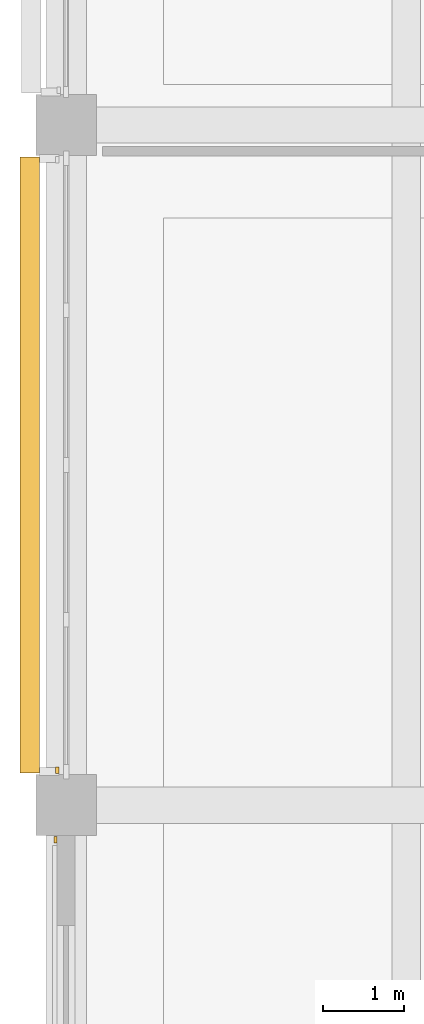
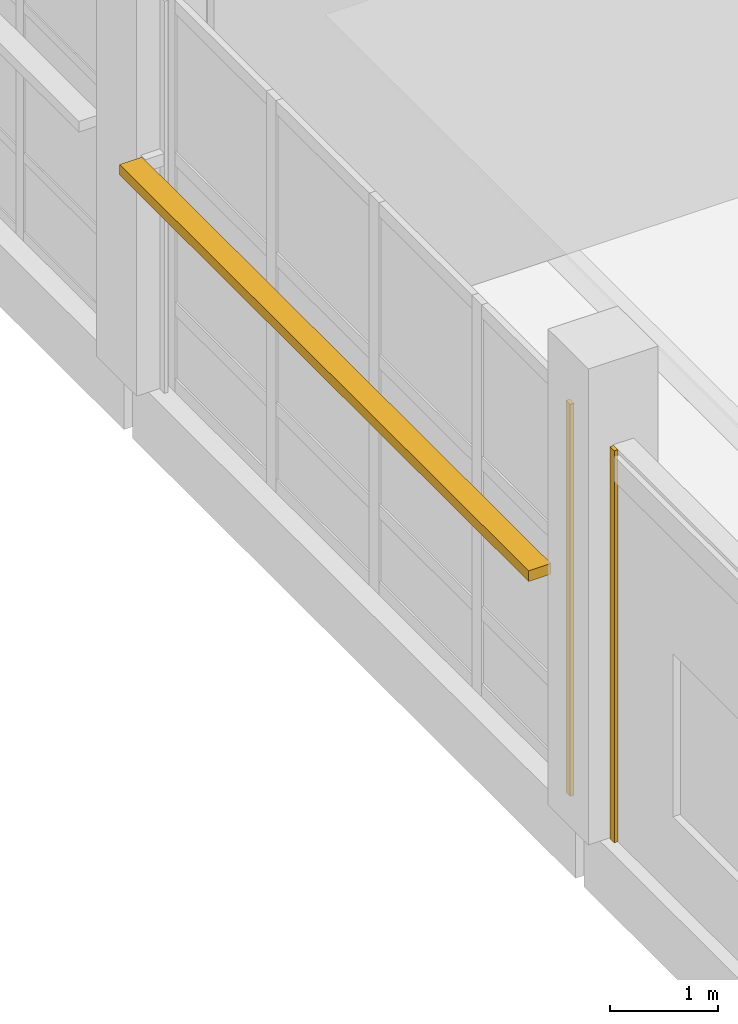
# One storey, part 96 of 140: 2 coverings, 1 shading device.
"""IFC4 building model written with IfcOpenShell, lengths in metres."""

from ifc_helpers import new_model, si_unit, direction, frame, origin, origin_2d, place, context, subcontext, project, spatial, rectangle, extrude, material, layer, layer_set, type_object, element, save


model = new_model("IFC4")

# Units and contexts
model_context = context("Model", 3, precision=1e-05, world=origin(), true_north=direction((0.0, 1.0)))
body_context = subcontext(model_context, "Body", "Model", "MODEL_VIEW")
ifc_project = project(units=[si_unit("LENGTHUNIT", "METRE"), si_unit("AREAUNIT", "SQUARE_METRE"), si_unit("VOLUMEUNIT", "CUBIC_METRE"), si_unit("PLANEANGLEUNIT", "RADIAN"), si_unit("MASSUNIT", "GRAM", prefix="KILO")], contexts=[model_context])

# Site, building, storey
site_placement = place(None, origin())
site = spatial("IfcSite", under=ifc_project, at=site_placement, CompositionType="ELEMENT")
building_placement = place(site_placement, origin())
building = spatial("IfcBuilding", under=site, at=building_placement, Name="Telukmera Botanical Conservatory", CompositionType="ELEMENT")
storey_placement = place(building_placement, origin())
storey = spatial("IfcBuildingStorey", under=building, at=storey_placement, Name="L00", CompositionType="ELEMENT", Elevation=0.0)

# Coverings
ifc_material_1 = material(Name="Granite-faced precast concrete C40/50", Category="masonry")
ifc_layer_1 = layer(ifc_material_1, 0.0400390625)
ifc_layer_set_1 = layer_set([ifc_layer_1], Name="Granite-faced precast concrete C40/50")
covering_type = type_object("IfcCoveringType", Name="Granite Precast Column Pier Reveal Casing", PredefinedType="CLADDING", material=ifc_layer_set_1)
for number, where, z_axis, x_axis, name in (
    (1, (8.27001953125, 33.972900390625, 0.0), (0.0, 0.0, 1.0), (0.0, 1.0, 0.0), "Granite Pier Reveal V3:L00:W2B R"),
    (2, (8.2900390625, 34.826904296875, 0.0), (0.0, 0.0, 1.0), (0.0, 1.0, 0.0), "Granite Pier Reveal V3:L00:W3 L"),
):
    element("IfcCovering", number, at=place(storey_placement, frame(where, z_axis=z_axis, x_axis=x_axis)), inside=storey, type_object=covering_type, Name=name, PredefinedType="CLADDING", context=body_context, shape_type="SweptSolid", body=[
        extrude(rectangle(XDim=0.080078125, YDim=0.0400390625, at=origin_2d()), origin(), (0.0, 0.0, 1.0), 4.449951171875),
    ])

# Shading device
ifc_material_2 = material(Name="Perforated terracotta-anodised aluminium 6063-T6", Category="masonry")
ifc_layer_2 = layer(ifc_material_2, 0.044921875)
ifc_layer_set_2 = layer_set([ifc_layer_2], Name="Perforated terracotta-anodised aluminium 6063-T6")
shading_device_type = type_object("IfcShadingDeviceType", Name="Perforated Terracotta Aluminium Monsoon Brise Soleil", PredefinedType="JALOUSIE", material=ifc_layer_set_2)
shading_device_placement = place(storey_placement, frame((7.949951171875, 38.60009765625, 2.58984375), z_axis=(0.0, 0.0, 1.0), x_axis=(0.0, 1.0, 0.0)))
element("IfcShadingDevice", 3, at=shading_device_placement, inside=storey, type_object=shading_device_type, Name="Monsoon Shading BS01 V3:L00:W3", PredefinedType="JALOUSIE", context=body_context, shape_type="SweptSolid", body=[
    extrude(rectangle(XDim=7.60595703125, YDim=0.239990234375, at=origin_2d()), origin(), (0.0, 0.0, 1.0), 0.1201171875),
])

save(model, "model.ifc")
